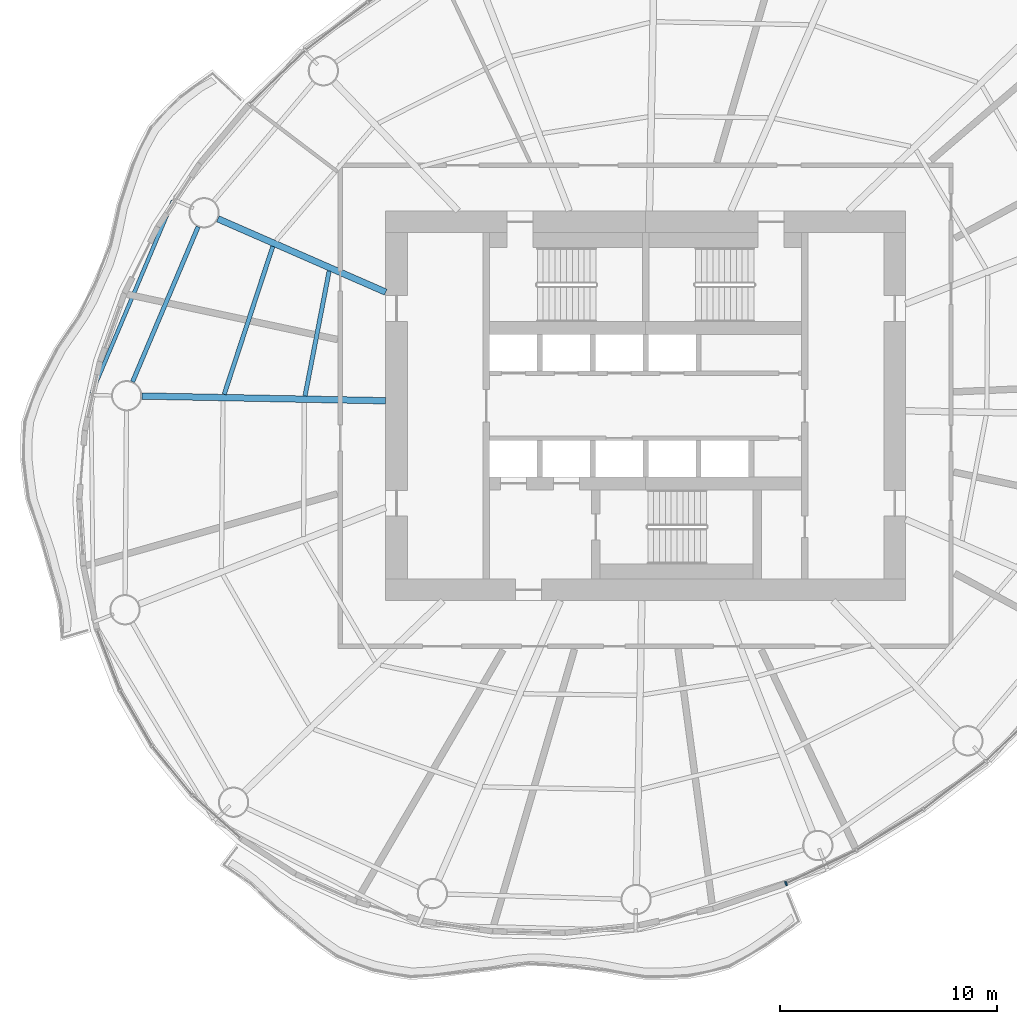
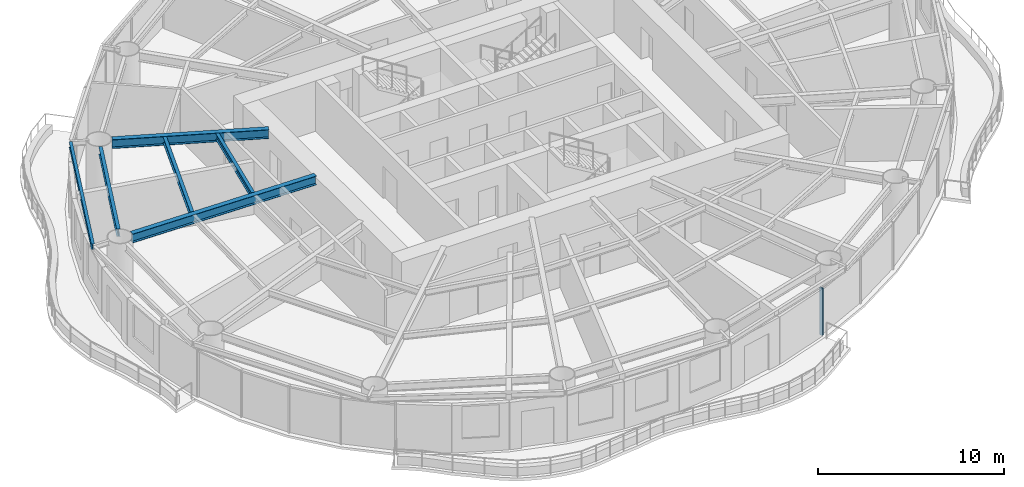
# One storey, part 3 of 14: 6 beams, 1 member, 1 element without a shape of its own.
"""IFC4 building model written with IfcOpenShell, lengths in metres."""

from ifc_helpers import new_model, si_unit, direction, frame, origin, origin_2d, place, context, subcontext, project, spatial, rectangle, i_section, extrude, material, material_profile, profile_set, type_object, element, aggregate, save


model = new_model("IFC4")

# Units and contexts
model_context = context("Model", 3, precision=1e-05, world=origin(), true_north=direction((0.0, 1.0)))
body_context = subcontext(model_context, "Body", "Model", "MODEL_VIEW")
ifc_project = project(units=[si_unit("LENGTHUNIT", "METRE"), si_unit("AREAUNIT", "SQUARE_METRE"), si_unit("VOLUMEUNIT", "CUBIC_METRE"), si_unit("PLANEANGLEUNIT", "RADIAN"), si_unit("MASSUNIT", "GRAM", prefix="KILO")], contexts=[model_context])

# Site, building, storey
site_placement = place(None, origin())
site = spatial("IfcSite", under=ifc_project, at=site_placement, CompositionType="ELEMENT")
building_placement = place(site_placement, origin())
building = spatial("IfcBuilding", under=site, at=building_placement, Name="Vermilion Reach Broadcast Tower", CompositionType="ELEMENT")
storey_placement = place(building_placement, frame((0.0, 0.0, 172.199951171875)))
storey = spatial("IfcBuildingStorey", under=building, at=storey_placement, Name="L41", CompositionType="ELEMENT", Elevation=172.199951171875)

# Beams
ifc_material_1 = material(Name="Steel S355J2", Category="steel")
ifc_material_profile_1 = material_profile(ifc_material_1, i_section(OverallWidth=0.175048828125, OverallDepth=0.35009765625, WebThickness=0.007080078125, FlangeThickness=0.010986328125, at=origin_2d()), Name="S355J2 HN 350x175x7x11")
ifc_profile_set_1 = profile_set([ifc_material_profile_1], Name="Steel S355J2")
beam_type_1 = type_object("IfcBeamType", Name="EB3 HN 350x175x7x11", PredefinedType="BEAM", material=ifc_profile_set_1)
beam_1_placement = place(storey_placement, frame((-27.823974609375, 9.457275390625, 3.275146484375), z_axis=(-0.389124766338, -0.92118506079, 0.0), x_axis=(0.92118506079, -0.389124766338, 0.0)))
element("IfcBeam", 1, at=beam_1_placement, inside=storey, type_object=beam_type_1, Name="Edge beam EB3-06", PredefinedType="BEAM", context=body_context, shape_type="SweptSolid", body=[
    extrude(i_section(OverallWidth=0.175048828125, OverallDepth=0.35009765625, WebThickness=0.007080078125, FlangeThickness=0.010986328125, at=origin_2d()), origin(), (0.0, 0.0, 1.0), 9.64697265625),
])
ifc_material_2 = material(Name="Steel S355J2", Category="steel")
ifc_material_profile_2 = material_profile(ifc_material_2, i_section(OverallWidth=0.300048828125, OverallDepth=0.587890625, WebThickness=0.011962890625, FlangeThickness=0.02001953125, at=origin_2d()), Name="S355J2 HM 588x300x12x20")
ifc_profile_set_2 = profile_set([ifc_material_profile_2], Name="Steel S355J2")
beam_type_2 = type_object("IfcBeamType", Name="G3 HM 588x300x12x20", PredefinedType="BEAM", material=ifc_profile_set_2)
beam_2_placement = place(storey_placement, frame((-18.0, 5.2451171875, 3.156005859375), z_axis=(-0.916287847036, 0.400520388213, 0.0), x_axis=(-0.400520388213, -0.916287847036, 0.0)))
element("IfcBeam", 2, at=beam_2_placement, inside=storey, type_object=beam_type_2, Name="Girder G3-06", PredefinedType="BEAM", context=body_context, shape_type="SweptSolid", body=[
    extrude(i_section(OverallWidth=0.300048828125, OverallDepth=0.587890625, WebThickness=0.011962890625, FlangeThickness=0.02001953125, at=origin_2d()), origin(), (0.0, 0.0, 1.0), 8.45458984375),
])
beam_3_placement = place(storey_placement, frame((-18.0, 0.232421875, 3.156005859375), z_axis=(-0.999812170888, 0.019380994401, 0.0), x_axis=(-0.019380994401, -0.999812170888, 0.0)))
element("IfcBeam", 3, at=beam_3_placement, inside=storey, type_object=beam_type_2, Name="Girder G3-07", PredefinedType="BEAM", context=body_context, shape_type="SweptSolid", body=[
    extrude(i_section(OverallWidth=0.300048828125, OverallDepth=0.587890625, WebThickness=0.011962890625, FlangeThickness=0.02001953125, at=origin_2d()), origin(), (0.0, 0.0, 1.0), 11.26171875),
])
ifc_material_3 = material(Name="Steel S355J2", Category="steel")
ifc_material_profile_3 = material_profile(ifc_material_3, i_section(OverallWidth=0.199951171875, OverallDepth=0.5, WebThickness=0.010009765625, FlangeThickness=0.01611328125, at=origin_2d()), Name="S355J2 HN 500x200x10x16")
ifc_profile_set_3 = profile_set([ifc_material_profile_3], Name="Steel S355J2")
beam_type_3 = type_object("IfcBeamType", Name="RB3 HN 500x200x10x16", PredefinedType="BEAM", material=ifc_profile_set_3)
beam_4_placement = place(storey_placement, frame((-26.660888671875, 8.266845703125, 3.199951171875), z_axis=(-0.389368386196, -0.921082113512, 0.0), x_axis=(0.921082113512, -0.389368386196, 0.0)))
element("IfcBeam", 4, at=beam_4_placement, inside=storey, type_object=beam_type_3, Name="Ring beam RB3-06", PredefinedType="BEAM", context=body_context, shape_type="SweptSolid", body=[
    extrude(i_section(OverallWidth=0.199951171875, OverallDepth=0.5, WebThickness=0.010009765625, FlangeThickness=0.01611328125, at=origin_2d()), origin(), (0.0, 0.0, 1.0), 7.771240234375),
])
ifc_material_4 = material(Name="Steel S355J2", Category="steel")
ifc_material_profile_4 = material_profile(ifc_material_4, i_section(OverallWidth=0.199951171875, OverallDepth=0.39990234375, WebThickness=0.008056640625, FlangeThickness=0.012939453125, at=origin_2d()), Name="S355J2 HN 400x200x8x13")
ifc_profile_set_4 = profile_set([ifc_material_profile_4], Name="Steel S355J2")
beam_type_4 = type_object("IfcBeamType", Name="SB3 HN 400x200x8x13", PredefinedType="BEAM", material=ifc_profile_set_4)
beam_5_placement = place(storey_placement, frame((-20.611328125, 6.222900390625, 3.25), z_axis=(-0.189462365782, -0.981887983404, 0.0), x_axis=(0.981887983404, -0.189462365782, 0.0)))
element("IfcBeam", 5, at=beam_5_placement, inside=storey, type_object=beam_type_4, Name="Secondary beam SB3-06-1", PredefinedType="BEAM", context=body_context, shape_type="SweptSolid", body=[
    extrude(i_section(OverallWidth=0.199951171875, OverallDepth=0.39990234375, WebThickness=0.008056640625, FlangeThickness=0.012939453125, at=origin_2d()), origin(), (0.0, 0.0, 1.0), 5.874755859375),
])
beam_6_placement = place(storey_placement, frame((-23.211669921875, 7.359375, 3.25), z_axis=(-0.312243016281, -0.950002262515, 0.0), x_axis=(0.950002262515, -0.312243016281, 0.0)))
element("IfcBeam", 6, at=beam_6_placement, inside=storey, type_object=beam_type_4, Name="Secondary beam SB3-06-2", PredefinedType="BEAM", context=body_context, shape_type="SweptSolid", body=[
    extrude(i_section(OverallWidth=0.199951171875, OverallDepth=0.39990234375, WebThickness=0.008056640625, FlangeThickness=0.012939453125, at=origin_2d()), origin(), (0.0, 0.0, 1.0), 7.19189453125),
])

# Curtain wall, member
ifc_material_5 = material(Name="Low-e laminated clear glass in aluminium frame", Category="aluminium")
curtain_wall_type = type_object("IfcCurtainWallType", Name="Slot curtain wall", PredefinedType="NOTDEFINED", material=ifc_material_5)
curtain_wall_placement = place(storey_placement, origin())
curtain_wall = element("IfcCurtainWall", 7, at=curtain_wall_placement, inside=storey, type_object=curtain_wall_type, Name="Slot curtain wall L41 34", PredefinedType="NOTDEFINED")
ifc_material_6 = material(Name="Anodised aluminium", Category="aluminium")
ifc_material_profile_5 = material_profile(ifc_material_6, rectangle(XDim=0.199951171875, YDim=0.080078125, at=origin_2d()), Name="Slot mullion 80 x 200")
ifc_profile_set_5 = profile_set([ifc_material_profile_5], Name="Anodised aluminium")
member_type = type_object("IfcMemberType", Name="Slot mullion 80 x 200", PredefinedType="MULLION", material=ifc_profile_set_5)
member_placement = place(storey_placement, frame((0.4833984375, -22.0595703125, 0.0), z_axis=(0.0, 0.0, 1.0), x_axis=(-0.3771781936, 0.926140707599, 0.0)))
member = element("IfcMember", 8, at=member_placement, type_object=member_type, Name="Slot mullion L41 34", PredefinedType="MULLION", context=body_context, shape_type="SweptSolid", body=[
    extrude(rectangle(XDim=0.199951171875, YDim=0.080078125, at=origin_2d()), origin(), (0.0, 0.0, 1.0), 3.10009765625),
])
aggregate(curtain_wall, [member])

save(model, "model.ifc")
